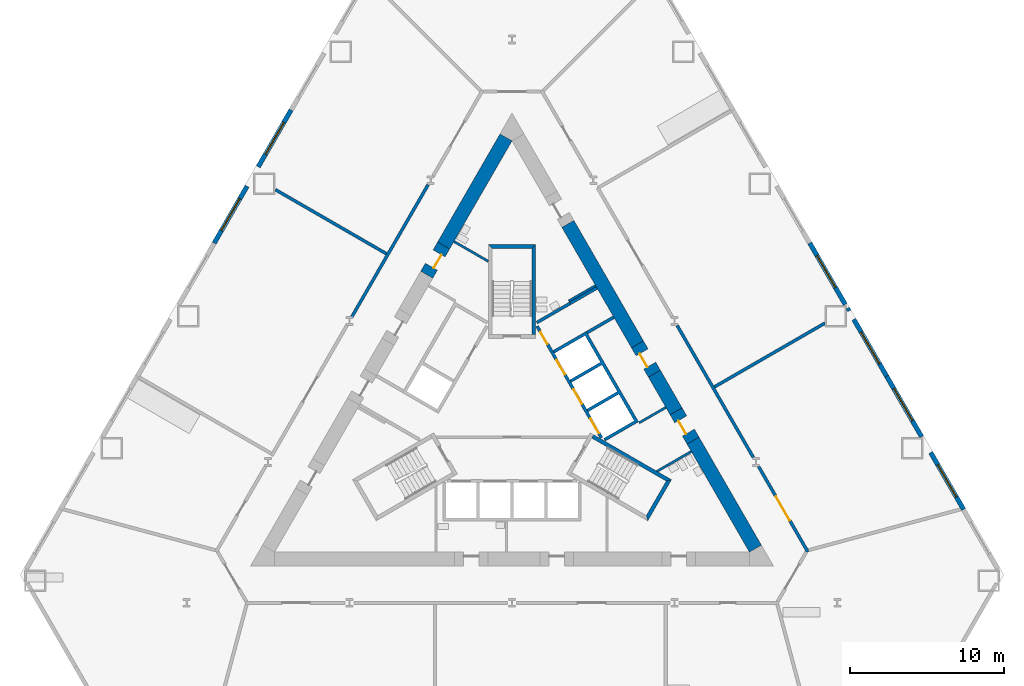
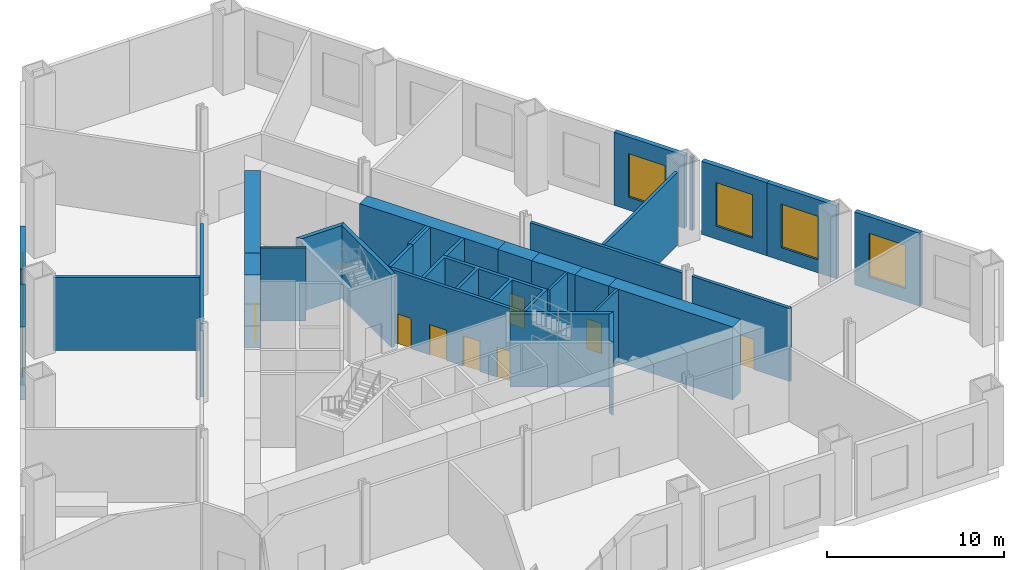
# One storey, part 4 of 9: 32 walls, 8 doors, 6 windows, 14 openings.
"""IFC4 building model written with IfcOpenShell, lengths in metres."""

from ifc_helpers import new_model, si_unit, direction, frame, frame_2d, origin, place, context, subcontext, project, spatial, polyline, rectangle, outline, extrude, material, layer, layer_set, type_object, element, fill, save


model = new_model("IFC4")

# Units and contexts
model_context = context("Model", 3, precision=1e-05, world=origin(), true_north=direction((0.0, 1.0)))
body_context = subcontext(model_context, "Body", "Model", "MODEL_VIEW")
ifc_project = project(units=[si_unit("LENGTHUNIT", "METRE"), si_unit("AREAUNIT", "SQUARE_METRE"), si_unit("VOLUMEUNIT", "CUBIC_METRE"), si_unit("PLANEANGLEUNIT", "RADIAN"), si_unit("MASSUNIT", "GRAM", prefix="KILO")], contexts=[model_context])

# Site, building, storey
site_placement = place(None, origin())
site = spatial("IfcSite", under=ifc_project, at=site_placement, CompositionType="ELEMENT")
building_placement = place(site_placement, origin())
building = spatial("IfcBuilding", under=site, at=building_placement, Name="Cormorant Prow Tower", CompositionType="ELEMENT")
storey_placement = place(building_placement, frame((0.0, 0.0, 15.5)))
storey = spatial("IfcBuildingStorey", under=building, at=storey_placement, Name="L02", CompositionType="ELEMENT", Elevation=15.5)

# Walls
ifc_material_1 = material(Name="Gypsum board partition")
ifc_layer_1 = layer(ifc_material_1, 0.14990234375)
ifc_layer_set_1 = layer_set([ifc_layer_1], Name="Gypsum board partition")
wall_type_1 = type_object("IfcWallType", Name="Core partition 150", PredefinedType="PARTITIONING", material=ifc_layer_set_1)
for number, where, z_axis, x_axis, name in (
    (1, (3.693359375, 7.4150390625, 0.0), (0.0, 0.0, 1.0), (0.866035824272, 0.499981950752, 0.0), "Service room partition"),
    (2, (8.268310546875, -0.509033203125, 0.0), (0.0, 0.0, 1.0), (0.866035824272, 0.499981950752, 0.0), "Service room partition"),
):
    element("IfcWall", number, at=place(storey_placement, frame(where, z_axis=z_axis, x_axis=x_axis)), inside=storey, type_object=wall_type_1, Name=name, PredefinedType="PARTITIONING", context=body_context, shape_type="SweptSolid", body=[
        extrude(rectangle(XDim=2.0087890625, YDim=0.14990234375, at=frame_2d((1.00439453125, 0.0))), origin(), (0.0, 0.0, 1.0), 5.050048828125),
    ])
wall_1_placement = place(storey_placement, frame((-3.77685546875, 11.2880859375, 0.0), z_axis=(0.0, 0.0, 1.0), x_axis=(0.866011223082, -0.500024560893, 0.0)))
element("IfcWall", 3, at=wall_1_placement, inside=storey, type_object=wall_type_1, Name="Service room partition", PredefinedType="PARTITIONING", context=body_context, shape_type="SweptSolid", body=[
    extrude(rectangle(XDim=2.588134765625, YDim=0.14990234375, at=frame_2d((1.2939453125, 0.0))), origin(), (0.0, 0.0, 1.0), 5.050048828125),
])
wall_2_placement = place(storey_placement, frame((11.664306640625, -2.373046875, 0.0), z_axis=(0.0, 0.0, 1.0), x_axis=(-0.866034804124, -0.499983717781, 0.0)))
element("IfcWall", 4, at=wall_2_placement, inside=storey, type_object=wall_type_1, Name="Service room partition", PredefinedType="PARTITIONING", context=body_context, shape_type="SweptSolid", body=[
    extrude(rectangle(XDim=2.58837890625, YDim=0.14990234375, at=frame_2d((1.294189453125, 0.0))), origin(), (0.0, 0.0, 1.0), 5.050048828125),
])
ifc_material_2 = material(Name="Concrete 8000 psi", Category="concrete")
ifc_layer_2 = layer(ifc_material_2, 0.89990234375)
ifc_layer_set_2 = layer_set([ifc_layer_2], Name="Concrete 8000 psi")
wall_type_2 = type_object("IfcWallType", Name="Core shear wall 900", PredefinedType="SHEAR", material=ifc_layer_set_2)
wall_3_placement = place(storey_placement, frame((8.160400390625, 4.595947265625, 0.0), z_axis=(0.0, 0.0, 1.0), x_axis=(-0.500011374349, 0.866018836701, 0.0)))
element("IfcWall", 5, at=wall_3_placement, inside=storey, type_object=wall_type_2, Name="Core wall", PredefinedType="SHEAR", context=body_context, shape_type="SweptSolid", body=[
    extrude(rectangle(XDim=9.045654296875, YDim=0.89990234375, at=frame_2d((4.52294921875, 0.0))), origin(), (0.0, 0.0, 1.0), 5.050048828125),
])
wall_4_placement = place(storey_placement, frame((15.830810546875, -8.68994140625, 0.0), z_axis=(0.0, 0.0, 1.0), x_axis=(-0.499995201193, 0.866028174359, 0.0)))
element("IfcWall", 6, at=wall_4_placement, inside=storey, type_object=wall_type_2, Name="Core wall", PredefinedType="SHEAR", context=body_context, shape_type="SweptSolid", body=[
    extrude(rectangle(XDim=8.10986328125, YDim=0.89990234375, at=frame_2d((4.054931640625, 0.0))), origin(), (0.0, 0.0, 1.0), 5.050048828125),
])
wall_5_placement = place(storey_placement, frame((10.67578125, 0.23876953125, 0.0), z_axis=(0.0, 0.0, 1.0), x_axis=(-0.499978737809, 0.866037679168, 0.0)))
element("IfcWall", 7, at=wall_5_placement, inside=storey, type_object=wall_type_2, Name="Core wall", PredefinedType="SHEAR", context=body_context, shape_type="SweptSolid", body=[
    extrude(rectangle(XDim=2.8310546875, YDim=0.89990234375, at=frame_2d((1.41552734375, 0.0))), origin(), (0.0, 0.0, 1.0), 5.050048828125),
])
wall_6_placement = place(storey_placement, frame((-0.3896484375, 18.054931640625, 0.0), z_axis=(0.0, 0.0, 1.0), x_axis=(-0.499995201193, -0.866028174359, 0.0)))
element("IfcWall", 8, at=wall_6_placement, inside=storey, type_object=wall_type_2, Name="Core wall", PredefinedType="SHEAR", context=body_context, shape_type="SweptSolid", body=[
    extrude(rectangle(XDim=8.10986328125, YDim=0.89990234375, at=frame_2d((4.054931640625, 0.0))), origin(), (0.0, 0.0, 1.0), 5.050048828125),
])

# Wall, opening, door
wall_7_placement = place(storey_placement, frame((11.77587890625, -1.66650390625, 0.0), z_axis=(0.0, 0.0, 1.0), x_axis=(-0.50002983664, 0.866008176907, 0.0)))
wall_7 = element("IfcWall", 9, at=wall_7_placement, inside=storey, type_object=wall_type_2, Name="Core wall door panel", PredefinedType="SHEAR", context=body_context, shape_type="SweptSolid", body=[
    extrude(rectangle(XDim=2.199951171875, YDim=0.89990234375, at=frame_2d((1.10009765625, 0.0))), origin(), (0.0, 0.0, 1.0), 5.050048828125),
])
opening_1_placement = place(wall_7_placement, frame((0.60009765625, 0.0, 0.0)))
opening_1 = element("IfcOpeningElement", 10, at=opening_1_placement, cuts=wall_7, Name="Opening L02-C18", PredefinedType="OPENING", context=body_context, shape_type="SweptSolid", body=[
    extrude(rectangle(XDim=1.0, YDim=2.10009765625, at=frame_2d((0.5, 1.050048828125))), frame((0.0, 0.4599609375, 0.0), z_axis=(0.0, -1.0, 0.0), x_axis=(1.0, 0.0, 0.0)), (0.0, 0.0, 1.0), 0.919921875),
])
ifc_material_3 = material(Name="Painted steel", Category="steel")
door_type_1 = type_object("IfcDoorType", Name="Service door 1000x2100", OperationType="NOTDEFINED", PredefinedType="DOOR", material=ifc_material_3)
door_1_placement = place(opening_1_placement, origin())
door_1 = element("IfcDoor", 11, at=door_1_placement, inside=storey, type_object=door_type_1, Name="Core door, Housekeeping store", OperationType="SINGLE_SWING_RIGHT", OverallHeight=2.10009765625, OverallWidth=1.0, PredefinedType="DOOR", context=body_context, shape_type="SweptSolid", body=[
    extrude(rectangle(XDim=1.0, YDim=2.10009765625, at=frame_2d((0.5, 1.050048828125))), frame((0.0, 0.205078125, 0.0), z_axis=(0.0, -1.0, 0.0), x_axis=(1.0, 0.0, 0.0)), (0.0, 0.0, 1.0), 0.050048828125),
])
fill(opening_1, door_1)

wall_8_placement = place(storey_placement, frame((9.26025390625, 2.690673828125, 0.0), z_axis=(0.0, 0.0, 1.0), x_axis=(-0.499946605688, 0.86605622881, 0.0)))
wall_8 = element("IfcWall", 12, at=wall_8_placement, inside=storey, type_object=wall_type_2, Name="Core wall door panel", PredefinedType="SHEAR", context=body_context, shape_type="SweptSolid", body=[
    extrude(rectangle(XDim=2.199951171875, YDim=0.89990234375, at=frame_2d((1.10009765625, 0.0))), origin(), (0.0, 0.0, 1.0), 5.050048828125),
])
opening_2_placement = place(wall_8_placement, frame((0.60009765625, 0.0, 0.0)))
opening_2 = element("IfcOpeningElement", 13, at=opening_2_placement, cuts=wall_8, Name="Opening L02-C19", PredefinedType="OPENING", context=body_context, shape_type="SweptSolid", body=[
    extrude(rectangle(XDim=1.0, YDim=2.10009765625, at=frame_2d((0.5, 1.050048828125))), frame((0.0, 0.4599609375, 0.0), z_axis=(0.0, -1.0, 0.0), x_axis=(1.0, 0.0, 0.0)), (0.0, 0.0, 1.0), 0.919921875),
])
door_2_placement = place(opening_2_placement, origin())
door_2 = element("IfcDoor", 14, at=door_2_placement, inside=storey, type_object=door_type_1, Name="Core door, Electrical room", OperationType="SINGLE_SWING_RIGHT", OverallHeight=2.10009765625, OverallWidth=1.0, PredefinedType="DOOR", context=body_context, shape_type="SweptSolid", body=[
    extrude(rectangle(XDim=1.0, YDim=2.10009765625, at=frame_2d((0.5, 1.050048828125))), frame((0.0, 0.205078125, 0.0), z_axis=(0.0, -1.0, 0.0), x_axis=(1.0, 0.0, 0.0)), (0.0, 0.0, 1.0), 0.050048828125),
])
fill(opening_2, door_2)

wall_9_placement = place(storey_placement, frame((-4.444580078125, 11.031494140625, 0.0), z_axis=(0.0, 0.0, 1.0), x_axis=(-0.50002983664, -0.866008176907, 0.0)))
wall_9 = element("IfcWall", 15, at=wall_9_placement, inside=storey, type_object=wall_type_2, Name="Core wall door panel", PredefinedType="SHEAR", context=body_context, shape_type="SweptSolid", body=[
    extrude(rectangle(XDim=2.199951171875, YDim=0.89990234375, at=frame_2d((1.10009765625, 0.0))), origin(), (0.0, 0.0, 1.0), 5.050048828125),
])
opening_3_placement = place(wall_9_placement, frame((0.60009765625, 0.0, 0.0)))
opening_3 = element("IfcOpeningElement", 16, at=opening_3_placement, cuts=wall_9, Name="Opening L02-C21", PredefinedType="OPENING", context=body_context, shape_type="SweptSolid", body=[
    extrude(rectangle(XDim=1.0, YDim=2.10009765625, at=frame_2d((0.5, 1.050048828125))), frame((0.0, 0.4599609375, 0.0), z_axis=(0.0, -1.0, 0.0), x_axis=(1.0, 0.0, 0.0)), (0.0, 0.0, 1.0), 0.919921875),
])
door_3_placement = place(opening_3_placement, origin())
door_3 = element("IfcDoor", 17, at=door_3_placement, inside=storey, type_object=door_type_1, Name="Core door, Refuse store", OperationType="SINGLE_SWING_LEFT", OverallHeight=2.10009765625, OverallWidth=1.0, PredefinedType="DOOR", context=body_context, shape_type="SweptSolid", body=[
    extrude(rectangle(XDim=1.0, YDim=2.10009765625, at=frame_2d((0.5, 1.050048828125))), frame((0.0, 0.205078125, 0.0), z_axis=(0.0, -1.0, 0.0), x_axis=(1.0, 0.0, 0.0)), (0.0, 0.0, 1.0), 0.050048828125),
])
fill(opening_3, door_3)

# Walls
ifc_material_4 = material(Name="Gypsum board corridor wall")
ifc_layer_3 = layer(ifc_material_4, 0.199951171875)
ifc_layer_set_3 = layer_set([ifc_layer_3], Name="Gypsum board corridor wall")
wall_type_3 = type_object("IfcWallType", Name="Corridor wall 200", PredefinedType="PARTITIONING", material=ifc_layer_set_3)
wall_10_placement = place(storey_placement, frame((10.74853515625, 5.812744140625, 0.0), z_axis=(0.0, 0.0, 1.0), x_axis=(0.500004292778, -0.866022925334, 0.0)))
element("IfcWall", 18, at=wall_10_placement, inside=storey, type_object=wall_type_3, Name="Corridor wall", PredefinedType="PARTITIONING", context=body_context, shape_type="SweptSolid", body=[
    extrude(rectangle(XDim=9.89794921875, YDim=0.199951171875, at=frame_2d((4.948974609375, 0.0))), origin(), (0.0, 0.0, 1.0), 5.050048828125),
])
wall_11_placement = place(storey_placement, frame((-10.408203125, 6.402099609375, 0.0), z_axis=(0.0, 0.0, 1.0), x_axis=(0.499985793049, 0.866033606016, 0.0)))
element("IfcWall", 19, at=wall_11_placement, inside=storey, type_object=wall_type_3, Name="Corridor wall", PredefinedType="PARTITIONING", context=body_context, shape_type="SweptSolid", body=[
    extrude(rectangle(XDim=9.897705078125, YDim=0.199951171875, at=frame_2d((4.94873046875, 0.0))), origin(), (0.0, 0.0, 1.0), 5.050048828125),
])

# Wall, opening, door
wall_12_placement = place(storey_placement, frame((16.037841796875, -3.348388671875, 0.0), z_axis=(0.0, 0.0, 1.0), x_axis=(0.499988314375, -0.866032150378, 0.0)))
wall_12 = element("IfcWall", 20, at=wall_12_placement, inside=storey, type_object=wall_type_3, Name="Corridor wall", PredefinedType="PARTITIONING", context=body_context, shape_type="SweptSolid", body=[
    extrude(rectangle(XDim=6.412353515625, YDim=0.199951171875, at=frame_2d((3.2060546875, 0.0))), origin(), (0.0, 0.0, 1.0), 5.050048828125),
])
opening_4_placement = place(wall_12_placement, frame((2.255859375, 0.0, 0.0)))
opening_4 = element("IfcOpeningElement", 21, at=opening_4_placement, cuts=wall_12, Name="Opening L02-F05", PredefinedType="OPENING", context=body_context, shape_type="SweptSolid", body=[
    extrude(rectangle(XDim=1.800048828125, YDim=2.10009765625, at=frame_2d((0.89990234375, 1.050048828125))), frame((0.0, 0.10986328125, 0.0), z_axis=(0.0, -1.0, 0.0), x_axis=(1.0, 0.0, 0.0)), (0.0, 0.0, 1.0), 0.219970703125),
])
ifc_material_5 = material(Name="Timber door leaf", Category="wood")
door_type_2 = type_object("IfcDoorType", Name="Double door 1800x2100", OperationType="DOUBLE_DOOR_SINGLE_SWING", PredefinedType="DOOR", material=ifc_material_5)
door_4_placement = place(opening_4_placement, origin())
door_4 = element("IfcDoor", 22, at=door_4_placement, inside=storey, type_object=door_type_2, Name="Serviced office door", OperationType="DOUBLE_DOOR_SINGLE_SWING", OverallHeight=2.10009765625, OverallWidth=1.800048828125, PredefinedType="DOOR", context=body_context, shape_type="SweptSolid", body=[
    extrude(rectangle(XDim=1.800048828125, YDim=2.10009765625, at=frame_2d((0.89990234375, 1.050048828125))), frame((0.0, 0.02490234375, 0.0), z_axis=(0.0, -1.0, 0.0), x_axis=(1.0, 0.0, 0.0)), (0.0, 0.0, 1.0), 0.050048828125),
])
fill(opening_4, door_4)

# Walls
ifc_material_6 = material(Name="Gypsum board demising wall")
ifc_layer_4 = layer(ifc_material_6, 0.199951171875)
ifc_layer_set_4 = layer_set([ifc_layer_4], Name="Gypsum board demising wall")
wall_type_4 = type_object("IfcWallType", Name="Demising wall 200", PredefinedType="PARTITIONING", material=ifc_layer_set_4)
wall_13_placement = place(storey_placement, frame((-15.391845703125, 14.659912109375, 0.0), z_axis=(0.0, 0.0, 1.0), x_axis=(0.866027244746, -0.499996811348, 0.0)))
element("IfcWall", 23, at=wall_13_placement, inside=storey, type_object=wall_type_4, Name="Demising wall", PredefinedType="PARTITIONING", context=body_context, shape_type="SweptSolid", body=[
    extrude(rectangle(XDim=8.3447265625, YDim=0.199951171875, at=frame_2d((4.17236328125, 0.0))), origin(), (0.0, 0.0, 1.0), 5.050048828125),
])
wall_14_placement = place(storey_placement, frame((13.1650390625, 1.827392578125, 0.0), z_axis=(0.0, 0.0, 1.0), x_axis=(0.866036778076, 0.499980298632, 0.0)))
element("IfcWall", 24, at=wall_14_placement, inside=storey, type_object=wall_type_4, Name="Demising wall", PredefinedType="PARTITIONING", context=body_context, shape_type="SweptSolid", body=[
    extrude(rectangle(XDim=8.305419921875, YDim=0.199951171875, at=frame_2d((4.15283203125, 0.0))), origin(), (0.0, 0.0, 1.0), 5.050048828125),
])
wall_15_placement = place(storey_placement, frame((21.77783203125, 6.800048828125, 0.0), z_axis=(0.0, 0.0, 1.0), x_axis=(0.866185586049, 0.49972245349, 0.0)))
element("IfcWall", 25, at=wall_15_placement, inside=storey, type_object=wall_type_4, Name="Demising wall", PredefinedType="PARTITIONING", context=body_context, shape_type="SweptSolid", body=[
    extrude(rectangle(XDim=0.256591796875, YDim=0.199951171875, at=frame_2d((0.12841796875, 0.0))), origin(), (0.0, 0.0, 1.0), 5.050048828125),
])

# Wall, openings, doors
ifc_material_7 = material(Name="Concrete 5000 psi", Category="concrete")
ifc_layer_5 = layer(ifc_material_7, 0.199951171875)
ifc_layer_set_5 = layer_set([ifc_layer_5], Name="Concrete 5000 psi")
wall_type_5 = type_object("IfcWallType", Name="Lift lobby wall 200", PredefinedType="SOLIDWALL", material=ifc_layer_set_5)
wall_16_placement = place(storey_placement, frame((5.817138671875, -1.4755859375, 0.0), z_axis=(0.0, 0.0, 1.0), x_axis=(-0.500002616675, 0.866023893041, 0.0)))
wall_16 = element("IfcWall", 26, at=wall_16_placement, inside=storey, type_object=wall_type_5, Name="Lift lobby wall, ENE block", PredefinedType="SOLIDWALL", context=body_context, shape_type="SweptSolid", body=[
    extrude(rectangle(XDim=8.373046875, YDim=0.199951171875, at=frame_2d((4.1865234375, 0.0))), origin(), (0.0, 0.0, 1.0), 5.050048828125),
])
opening_5_placement = place(wall_16_placement, frame((0.336669921875, 0.0, 0.0)))
opening_5 = element("IfcOpeningElement", 27, at=opening_5_placement, cuts=wall_16, Name="Opening L02-C05", PredefinedType="OPENING", context=body_context, shape_type="SweptSolid", body=[
    extrude(rectangle(XDim=1.10009765625, YDim=2.10009765625, at=frame_2d((0.550048828125, 1.050048828125))), frame((0.0, 0.10986328125, 0.0), z_axis=(0.0, -1.0, 0.0), x_axis=(1.0, 0.0, 0.0)), (0.0, 0.0, 1.0), 0.219970703125),
])
opening_6_placement = place(wall_16_placement, frame((2.53662109375, 0.0, 0.0)))
opening_6 = element("IfcOpeningElement", 28, at=opening_6_placement, cuts=wall_16, Name="Opening L02-C06", PredefinedType="OPENING", context=body_context, shape_type="SweptSolid", body=[
    extrude(rectangle(XDim=1.10009765625, YDim=2.10009765625, at=frame_2d((0.550048828125, 1.050048828125))), frame((0.0, 0.10986328125, 0.0), z_axis=(0.0, -1.0, 0.0), x_axis=(1.0, 0.0, 0.0)), (0.0, 0.0, 1.0), 0.219970703125),
])
opening_7_placement = place(wall_16_placement, frame((4.736572265625, 0.0, 0.0)))
opening_7 = element("IfcOpeningElement", 29, at=opening_7_placement, cuts=wall_16, Name="Opening L02-C07", PredefinedType="OPENING", context=body_context, shape_type="SweptSolid", body=[
    extrude(rectangle(XDim=1.10009765625, YDim=2.10009765625, at=frame_2d((0.550048828125, 1.050048828125))), frame((0.0, 0.10986328125, 0.0), z_axis=(0.0, -1.0, 0.0), x_axis=(1.0, 0.0, 0.0)), (0.0, 0.0, 1.0), 0.219970703125),
])
opening_8_placement = place(wall_16_placement, frame((7.03662109375, 0.0, 0.0)))
opening_8 = element("IfcOpeningElement", 30, at=opening_8_placement, cuts=wall_16, Name="Opening L02-C08", PredefinedType="OPENING", context=body_context, shape_type="SweptSolid", body=[
    extrude(rectangle(XDim=0.89990234375, YDim=2.10009765625, at=frame_2d((0.449951171875, 1.050048828125))), frame((0.0, 0.10986328125, 0.0), z_axis=(0.0, -1.0, 0.0), x_axis=(1.0, 0.0, 0.0)), (0.0, 0.0, 1.0), 0.219970703125),
])
ifc_material_8 = material(Name="Painted steel", Category="steel")
door_type_3 = type_object("IfcDoorType", Name="Lift landing door 1100x2100", OperationType="SLIDING_TO_LEFT", PredefinedType="DOOR", material=ifc_material_8)
door_5_placement = place(opening_5_placement, origin())
door_5 = element("IfcDoor", 31, at=door_5_placement, inside=storey, type_object=door_type_3, Name="Landing door LR2", OperationType="SLIDING_TO_LEFT", OverallHeight=2.10009765625, OverallWidth=1.10009765625, PredefinedType="DOOR", context=body_context, shape_type="SweptSolid", body=[
    extrude(rectangle(XDim=1.10009765625, YDim=2.10009765625, at=frame_2d((0.550048828125, 1.050048828125))), frame((0.0, 0.02490234375, 0.0), z_axis=(0.0, -1.0, 0.0), x_axis=(1.0, 0.0, 0.0)), (0.0, 0.0, 1.0), 0.050048828125),
])
fill(opening_5, door_5)
door_6_placement = place(opening_6_placement, origin())
door_6 = element("IfcDoor", 32, at=door_6_placement, inside=storey, type_object=door_type_3, Name="Landing door LR3", OperationType="SLIDING_TO_LEFT", OverallHeight=2.10009765625, OverallWidth=1.10009765625, PredefinedType="DOOR", context=body_context, shape_type="SweptSolid", body=[
    extrude(rectangle(XDim=1.10009765625, YDim=2.10009765625, at=frame_2d((0.550048828125, 1.050048828125))), frame((0.0, 0.02490234375, 0.0), z_axis=(0.0, -1.0, 0.0), x_axis=(1.0, 0.0, 0.0)), (0.0, 0.0, 1.0), 0.050048828125),
])
fill(opening_6, door_6)
door_7_placement = place(opening_7_placement, origin())
door_7 = element("IfcDoor", 33, at=door_7_placement, inside=storey, type_object=door_type_3, Name="Landing door LR4", OperationType="SLIDING_TO_LEFT", OverallHeight=2.10009765625, OverallWidth=1.10009765625, PredefinedType="DOOR", context=body_context, shape_type="SweptSolid", body=[
    extrude(rectangle(XDim=1.10009765625, YDim=2.10009765625, at=frame_2d((0.550048828125, 1.050048828125))), frame((0.0, 0.02490234375, 0.0), z_axis=(0.0, -1.0, 0.0), x_axis=(1.0, 0.0, 0.0)), (0.0, 0.0, 1.0), 0.050048828125),
])
fill(opening_7, door_7)
ifc_material_9 = material(Name="Painted steel", Category="steel")
door_type_4 = type_object("IfcDoorType", Name="Service door 900x2100", OperationType="NOTDEFINED", PredefinedType="DOOR", material=ifc_material_9)
door_8_placement = place(opening_8_placement, origin())
door_8 = element("IfcDoor", 34, at=door_8_placement, inside=storey, type_object=door_type_4, Name="Service door, Linen store", OperationType="SINGLE_SWING_RIGHT", OverallHeight=2.10009765625, OverallWidth=0.89990234375, PredefinedType="DOOR", context=body_context, shape_type="SweptSolid", body=[
    extrude(rectangle(XDim=0.89990234375, YDim=2.10009765625, at=frame_2d((0.449951171875, 1.050048828125))), frame((0.0, 0.02490234375, 0.0), z_axis=(0.0, -1.0, 0.0), x_axis=(1.0, 0.0, 0.0)), (0.0, 0.0, 1.0), 0.050048828125),
])
fill(opening_8, door_8)

# Walls
ifc_material_10 = material(Name="Concrete 8000 psi", Category="concrete")
ifc_layer_6 = layer(ifc_material_10, 0.199951171875)
ifc_layer_set_6 = layer_set([ifc_layer_6], Name="Concrete 8000 psi")
wall_type_6 = type_object("IfcWallType", Name="Lift shaft wall 200", PredefinedType="SHEAR", material=ifc_layer_set_6)
wall_17_placement = place(storey_placement, origin())
element("IfcWall", 35, at=wall_17_placement, inside=storey, type_object=wall_type_6, Name="Lift shaft walls, ENE block", PredefinedType="SHEAR", context=body_context, shape_type="SweptSolid", body=[
    extrude(outline(polyline([(1.560546875, 6.09716796875), (3.730712890625, 7.35009765625), (3.830810546875, 7.177001953125), (1.660400390625, 5.923828125), (1.560546875, 6.09716796875)])), origin(), (0.0, 0.0, 1.0), 5.050048828125),
])
wall_18_placement = place(storey_placement, origin())
element("IfcWall", 36, at=wall_18_placement, inside=storey, type_object=wall_type_6, Name="Lift shaft walls, ENE block", PredefinedType="SHEAR", context=body_context, shape_type="SweptSolid", body=[
    extrude(outline(polyline([(2.660400390625, 4.19189453125), (4.830810546875, 5.44482421875), (8.230712890625, -0.444091796875), (6.060546875, -1.697021484375), (5.96044921875, -1.52392578125), (7.952392578125, -0.373779296875), (6.952392578125, 1.358154296875), (4.96044921875, 0.2080078125), (4.860595703125, 0.38134765625), (6.852294921875, 1.53125), (5.852294921875, 3.263427734375), (3.860595703125, 2.11328125), (3.760498046875, 2.28662109375), (5.75244140625, 3.4365234375), (4.75244140625, 5.168701171875), (2.760498046875, 4.018798828125), (2.660400390625, 4.19189453125)])), origin(), (0.0, 0.0, 1.0), 5.050048828125),
])
wall_19_placement = place(storey_placement, frame((4.880859375, 5.3583984375, 0.0), z_axis=(0.0, 0.0, 1.0), x_axis=(0.866035824272, 0.499981950752, 0.0)))
element("IfcWall", 37, at=wall_19_placement, inside=storey, type_object=wall_type_6, Name="Store side wall", PredefinedType="SHEAR", context=body_context, shape_type="SweptSolid", body=[
    extrude(rectangle(XDim=2.0087890625, YDim=0.199951171875, at=frame_2d((1.00439453125, 0.0))), origin(), (0.0, 0.0, 1.0), 5.050048828125),
])
wall_20_placement = place(storey_placement, frame((3.78076171875, 7.263427734375, 0.0), z_axis=(0.0, 0.0, 1.0), x_axis=(0.865983199114, 0.50007309351, 0.0)))
element("IfcWall", 38, at=wall_20_placement, inside=storey, type_object=wall_type_6, Name="Store side wall", PredefinedType="SHEAR", context=body_context, shape_type="SweptSolid", body=[
    extrude(rectangle(XDim=2.009033203125, YDim=0.199951171875, at=frame_2d((1.00439453125, 0.0))), origin(), (0.0, 0.0, 1.0), 5.050048828125),
])
ifc_material_11 = material(Name="Concrete 8000 psi", Category="concrete")
ifc_layer_7 = layer(ifc_material_11, 0.25)
ifc_layer_set_7 = layer_set([ifc_layer_7], Name="Concrete 8000 psi")
wall_type_7 = type_object("IfcWallType", Name="Stair wall 250", PredefinedType="SHEAR", material=ifc_layer_set_7)
wall_21_placement = place(storey_placement, origin())
element("IfcWall", 39, at=wall_21_placement, inside=storey, type_object=wall_type_7, Name="Stair ST2 enclosure wall (end)", PredefinedType="SHEAR", context=body_context, shape_type="SweptSolid", body=[
    extrude(outline(polyline([(8.82958984375, -6.880615234375), (10.37353515625, -4.206298828125), (10.031982421875, -4.2978515625), (8.738037109375, -6.5390625), (8.82958984375, -6.880615234375)])), origin(), (0.0, 0.0, 1.0), 5.050048828125),
])
wall_22_placement = place(storey_placement, origin())
element("IfcWall", 40, at=wall_22_placement, inside=storey, type_object=wall_type_7, Name="Stair ST2 enclosure wall (flank)", PredefinedType="SHEAR", context=body_context, shape_type="SweptSolid", body=[
    extrude(outline(polyline([(10.031982421875, -4.2978515625), (10.37353515625, -4.206298828125), (5.30712890625, -1.28125), (5.18212890625, -1.497802734375), (10.031982421875, -4.2978515625)])), origin(), (0.0, 0.0, 1.0), 5.050048828125),
])
wall_23_placement = place(storey_placement, origin())
element("IfcWall", 41, at=wall_23_placement, inside=storey, type_object=wall_type_7, Name="Stair ST3 enclosure wall (flank)", PredefinedType="SHEAR", context=body_context, shape_type="SweptSolid", body=[
    extrude(outline(polyline([(1.5439453125, 5.23681640625), (1.5439453125, 11.0869140625), (1.2939453125, 10.8369140625), (1.2939453125, 5.23681640625), (1.5439453125, 5.23681640625)])), origin(), (0.0, 0.0, 1.0), 5.050048828125),
])
wall_24_placement = place(storey_placement, origin())
element("IfcWall", 42, at=wall_24_placement, inside=storey, type_object=wall_type_7, Name="Stair ST3 enclosure wall (end)", PredefinedType="SHEAR", context=body_context, shape_type="SweptSolid", body=[
    extrude(outline(polyline([(1.5439453125, 11.0869140625), (-1.5439453125, 11.0869140625), (-1.2939453125, 10.8369140625), (1.2939453125, 10.8369140625), (1.5439453125, 11.0869140625)])), origin(), (0.0, 0.0, 1.0), 5.050048828125),
])

# Wall, opening, window
ifc_material_12 = material(Name="Terracotta", Category="masonry")
ifc_layer_8 = layer(ifc_material_12, 0.300048828125)
ifc_layer_set_8 = layer_set([ifc_layer_8], Name="Terracotta")
wall_type_8 = type_object("IfcWallType", Name="Terracotta podium cladding wall 300", PredefinedType="SOLIDWALL", material=ifc_layer_set_8)
wall_25_placement = place(storey_placement, frame((29.3701171875, -6.13720703125, 0.0), z_axis=(0.0, 0.0, 1.0), x_axis=(-0.499994660107, 0.866028486751, 0.0)))
wall_25 = element("IfcWall", 43, at=wall_25_placement, inside=storey, type_object=wall_type_8, Name="Terracotta podium wall ENE01", PredefinedType="SOLIDWALL", context=body_context, shape_type="SweptSolid", body=[
    extrude(rectangle(XDim=4.27001953125, YDim=0.300048828125, at=frame_2d((2.135009765625, 0.0))), origin(), (0.0, 0.0, 1.0), 5.050048828125),
])
opening_9_placement = place(wall_25_placement, frame((0.93505859375, 0.0, 0.89990234375)))
opening_9 = element("IfcOpeningElement", 44, at=opening_9_placement, cuts=wall_25, Name="Opening WN21", PredefinedType="OPENING", context=body_context, shape_type="SweptSolid", body=[
    extrude(rectangle(XDim=2.39990234375, YDim=3.0, at=frame_2d((1.199951171875, 1.5))), frame((0.0, 0.159912109375, 0.0), z_axis=(0.0, -1.0, 0.0), x_axis=(1.0, 0.0, 0.0)), (0.0, 0.0, 1.0), 0.320068359375),
])
ifc_material_13 = material(Name="Aluminium 6063-T6", Category="aluminium")
window_type = type_object("IfcWindowType", Name="Podium window 2400x3000", PartitioningType="SINGLE_PANEL", PredefinedType="WINDOW", material=ifc_material_13)
window_1_placement = place(opening_9_placement, origin())
window_1 = element("IfcWindow", 45, at=window_1_placement, inside=storey, type_object=window_type, Name="Podium window ENE01", OverallHeight=3.0, OverallWidth=2.39990234375, PartitioningType="SINGLE_PANEL", PredefinedType="WINDOW", context=body_context, shape_type="SweptSolid", body=[
    extrude(rectangle(XDim=2.39990234375, YDim=3.0, at=frame_2d((1.199951171875, 1.5))), frame((0.0, 0.030029296875, 0.0), z_axis=(0.0, -1.0, 0.0), x_axis=(1.0, 0.0, 0.0)), (0.0, 0.0, 1.0), 0.06005859375),
])
fill(opening_9, window_1)

wall_26_placement = place(storey_placement, frame((26.64208984375, -1.412353515625, 0.0), z_axis=(0.0, 0.0, 1.0), x_axis=(-0.499964285679, 0.866046022475, 0.0)))
wall_26 = element("IfcWall", 46, at=wall_26_placement, inside=storey, type_object=wall_type_8, Name="Terracotta podium wall ENE02", PredefinedType="SOLIDWALL", context=body_context, shape_type="SweptSolid", body=[
    extrude(rectangle(XDim=4.544189453125, YDim=0.300048828125, at=frame_2d((2.27197265625, 0.0))), origin(), (0.0, 0.0, 1.0), 5.050048828125),
])
opening_10_placement = place(wall_26_placement, frame((1.209228515625, 0.0, 0.89990234375)))
opening_10 = element("IfcOpeningElement", 47, at=opening_10_placement, cuts=wall_26, Name="Opening WN21", PredefinedType="OPENING", context=body_context, shape_type="SweptSolid", body=[
    extrude(rectangle(XDim=2.39990234375, YDim=3.0, at=frame_2d((1.199951171875, 1.5))), frame((0.0, 0.159912109375, 0.0), z_axis=(0.0, -1.0, 0.0), x_axis=(1.0, 0.0, 0.0)), (0.0, 0.0, 1.0), 0.320068359375),
])
window_2_placement = place(opening_10_placement, origin())
window_2 = element("IfcWindow", 48, at=window_2_placement, inside=storey, type_object=window_type, Name="Podium window ENE02", OverallHeight=3.0, OverallWidth=2.39990234375, PartitioningType="SINGLE_PANEL", PredefinedType="WINDOW", context=body_context, shape_type="SweptSolid", body=[
    extrude(rectangle(XDim=2.39990234375, YDim=3.0, at=frame_2d((1.199951171875, 1.5))), frame((0.0, 0.030029296875, 0.0), z_axis=(0.0, -1.0, 0.0), x_axis=(1.0, 0.0, 0.0)), (0.0, 0.0, 1.0), 0.06005859375),
])
fill(opening_10, window_2)

wall_27_placement = place(storey_placement, frame((24.3701171875, 2.523193359375, 0.0), z_axis=(0.0, 0.0, 1.0), x_axis=(-0.500019418418, 0.866014192265, 0.0)))
wall_27 = element("IfcWall", 49, at=wall_27_placement, inside=storey, type_object=wall_type_8, Name="Terracotta podium wall ENE03", PredefinedType="SOLIDWALL", context=body_context, shape_type="SweptSolid", body=[
    extrude(rectangle(XDim=4.269775390625, YDim=0.300048828125, at=frame_2d((2.134765625, 0.0))), origin(), (0.0, 0.0, 1.0), 5.050048828125),
])
opening_11_placement = place(wall_27_placement, frame((0.93505859375, 0.0, 0.89990234375)))
opening_11 = element("IfcOpeningElement", 50, at=opening_11_placement, cuts=wall_27, Name="Opening WN21", PredefinedType="OPENING", context=body_context, shape_type="SweptSolid", body=[
    extrude(rectangle(XDim=2.39990234375, YDim=3.0, at=frame_2d((1.199951171875, 1.5))), frame((0.0, 0.159912109375, 0.0), z_axis=(0.0, -1.0, 0.0), x_axis=(1.0, 0.0, 0.0)), (0.0, 0.0, 1.0), 0.320068359375),
])
window_3_placement = place(opening_11_placement, origin())
window_3 = element("IfcWindow", 51, at=window_3_placement, inside=storey, type_object=window_type, Name="Podium window ENE03", OverallHeight=3.0, OverallWidth=2.39990234375, PartitioningType="SINGLE_PANEL", PredefinedType="WINDOW", context=body_context, shape_type="SweptSolid", body=[
    extrude(rectangle(XDim=2.39990234375, YDim=3.0, at=frame_2d((1.199951171875, 1.5))), frame((0.0, 0.030029296875, 0.0), z_axis=(0.0, -1.0, 0.0), x_axis=(1.0, 0.0, 0.0)), (0.0, 0.0, 1.0), 0.06005859375),
])
fill(opening_11, window_3)

wall_28_placement = place(storey_placement, frame((21.676025390625, 7.189208984375, 0.0), z_axis=(0.0, 0.0, 1.0), x_axis=(-0.499982117899, 0.866035727774, 0.0)))
wall_28 = element("IfcWall", 52, at=wall_28_placement, inside=storey, type_object=wall_type_8, Name="Terracotta podium wall ENE04", PredefinedType="SOLIDWALL", context=body_context, shape_type="SweptSolid", body=[
    extrude(rectangle(XDim=4.612060546875, YDim=0.300048828125, at=frame_2d((2.30615234375, 0.0))), origin(), (0.0, 0.0, 1.0), 5.050048828125),
])
opening_12_placement = place(wall_28_placement, frame((1.277099609375, 0.0, 0.89990234375)))
opening_12 = element("IfcOpeningElement", 53, at=opening_12_placement, cuts=wall_28, Name="Opening WN21", PredefinedType="OPENING", context=body_context, shape_type="SweptSolid", body=[
    extrude(rectangle(XDim=2.39990234375, YDim=3.0, at=frame_2d((1.199951171875, 1.5))), frame((0.0, 0.159912109375, 0.0), z_axis=(0.0, -1.0, 0.0), x_axis=(1.0, 0.0, 0.0)), (0.0, 0.0, 1.0), 0.320068359375),
])
window_4_placement = place(opening_12_placement, origin())
window_4 = element("IfcWindow", 54, at=window_4_placement, inside=storey, type_object=window_type, Name="Podium window ENE04", OverallHeight=3.0, OverallWidth=2.39990234375, PartitioningType="SINGLE_PANEL", PredefinedType="WINDOW", context=body_context, shape_type="SweptSolid", body=[
    extrude(rectangle(XDim=2.39990234375, YDim=3.0, at=frame_2d((1.199951171875, 1.5))), frame((0.0, 0.030029296875, 0.0), z_axis=(0.0, -1.0, 0.0), x_axis=(1.0, 0.0, 0.0)), (0.0, 0.0, 1.0), 0.06005859375),
])
fill(opening_12, window_4)

wall_29_placement = place(storey_placement, frame((-14.3701171875, 19.843505859375, 0.0), z_axis=(0.0, 0.0, 1.0), x_axis=(-0.500019418418, -0.866014192265, 0.0)))
wall_29 = element("IfcWall", 55, at=wall_29_placement, inside=storey, type_object=wall_type_8, Name="Terracotta podium wall WNW03", PredefinedType="SOLIDWALL", context=body_context, shape_type="SweptSolid", body=[
    extrude(rectangle(XDim=4.269775390625, YDim=0.300048828125, at=frame_2d((2.134765625, 0.0))), origin(), (0.0, 0.0, 1.0), 5.050048828125),
])
opening_13_placement = place(wall_29_placement, frame((0.93505859375, 0.0, 0.89990234375)))
opening_13 = element("IfcOpeningElement", 56, at=opening_13_placement, cuts=wall_29, Name="Opening WN21", PredefinedType="OPENING", context=body_context, shape_type="SweptSolid", body=[
    extrude(rectangle(XDim=2.39990234375, YDim=3.0, at=frame_2d((1.199951171875, 1.5))), frame((0.0, 0.159912109375, 0.0), z_axis=(0.0, -1.0, 0.0), x_axis=(1.0, 0.0, 0.0)), (0.0, 0.0, 1.0), 0.320068359375),
])
window_5_placement = place(opening_13_placement, origin())
window_5 = element("IfcWindow", 57, at=window_5_placement, inside=storey, type_object=window_type, Name="Podium window WNW03", OverallHeight=3.0, OverallWidth=2.39990234375, PartitioningType="SINGLE_PANEL", PredefinedType="WINDOW", context=body_context, shape_type="SweptSolid", body=[
    extrude(rectangle(XDim=2.39990234375, YDim=3.0, at=frame_2d((1.199951171875, 1.5))), frame((0.0, 0.030029296875, 0.0), z_axis=(0.0, -1.0, 0.0), x_axis=(1.0, 0.0, 0.0)), (0.0, 0.0, 1.0), 0.06005859375),
])
fill(opening_13, window_5)

wall_30_placement = place(storey_placement, frame((-17.235107421875, 14.88134765625, 0.0), z_axis=(0.0, 0.0, 1.0), x_axis=(-0.499994660107, -0.866028486751, 0.0)))
wall_30 = element("IfcWall", 58, at=wall_30_placement, inside=storey, type_object=wall_type_8, Name="Terracotta podium wall WNW04", PredefinedType="SOLIDWALL", context=body_context, shape_type="SweptSolid", body=[
    extrude(rectangle(XDim=4.27001953125, YDim=0.300048828125, at=frame_2d((2.135009765625, 0.0))), origin(), (0.0, 0.0, 1.0), 5.050048828125),
])
opening_14_placement = place(wall_30_placement, frame((0.93505859375, 0.0, 0.89990234375)))
opening_14 = element("IfcOpeningElement", 59, at=opening_14_placement, cuts=wall_30, Name="Opening WN21", PredefinedType="OPENING", context=body_context, shape_type="SweptSolid", body=[
    extrude(rectangle(XDim=2.39990234375, YDim=3.0, at=frame_2d((1.199951171875, 1.5))), frame((0.0, 0.159912109375, 0.0), z_axis=(0.0, -1.0, 0.0), x_axis=(1.0, 0.0, 0.0)), (0.0, 0.0, 1.0), 0.320068359375),
])
window_6_placement = place(opening_14_placement, origin())
window_6 = element("IfcWindow", 60, at=window_6_placement, inside=storey, type_object=window_type, Name="Podium window WNW04", OverallHeight=3.0, OverallWidth=2.39990234375, PartitioningType="SINGLE_PANEL", PredefinedType="WINDOW", context=body_context, shape_type="SweptSolid", body=[
    extrude(rectangle(XDim=2.39990234375, YDim=3.0, at=frame_2d((1.199951171875, 1.5))), frame((0.0, 0.030029296875, 0.0), z_axis=(0.0, -1.0, 0.0), x_axis=(1.0, 0.0, 0.0)), (0.0, 0.0, 1.0), 0.06005859375),
])
fill(opening_14, window_6)

save(model, "model.ifc")
